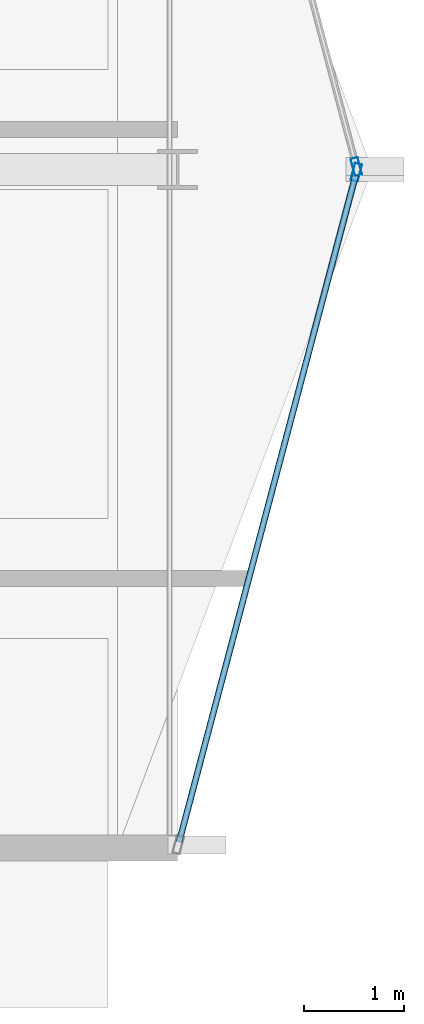
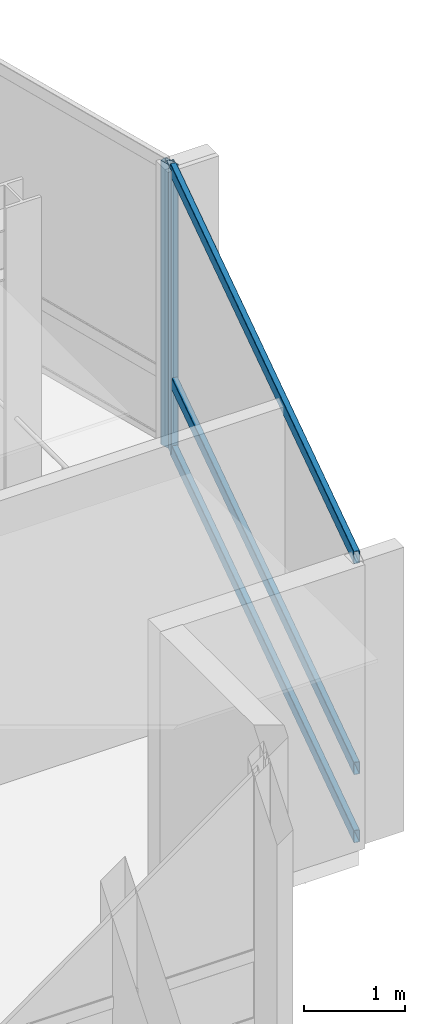
# One storey, part 11 of 28: 5 members, 2 elements without a shape of their own.
"""IFC4 building model written with IfcOpenShell, lengths in metres."""

from ifc_helpers import new_model, si_unit, direction, frame, origin, origin_2d, place, context, subcontext, project, spatial, hollow_rectangle, extrude, material, layer, layer_set, material_profile, profile_set, type_object, element, aggregate, save


model = new_model("IFC4")

# Units and contexts
model_context = context("Model", 3, precision=1e-05, world=origin(), true_north=direction((0.0, 1.0)))
body_context = subcontext(model_context, "Body", "Model", "MODEL_VIEW")
ifc_project = project(units=[si_unit("LENGTHUNIT", "METRE"), si_unit("AREAUNIT", "SQUARE_METRE"), si_unit("VOLUMEUNIT", "CUBIC_METRE"), si_unit("PLANEANGLEUNIT", "RADIAN"), si_unit("MASSUNIT", "GRAM", prefix="KILO")], contexts=[model_context])

# Site, building, storey
site_placement = place(None, origin())
site = spatial("IfcSite", under=ifc_project, at=site_placement, CompositionType="ELEMENT")
building_placement = place(site_placement, origin())
building = spatial("IfcBuilding", under=site, at=building_placement, Name="Solvaryn Broadcast Tower", CompositionType="ELEMENT")
storey_placement = place(building_placement, frame((0.0, 0.0, 213.60009765625)))
storey = spatial("IfcBuildingStorey", under=building, at=storey_placement, Name="L53", CompositionType="ELEMENT", Elevation=213.60009765625)

# Curtain wall, member
ifc_material_1 = material(Name="Aluminium and Terracotta Unitised Curtain Wall", Category="masonry")
ifc_layer = layer(ifc_material_1, 0.199951171875)
ifc_layer_set = layer_set([ifc_layer], Name="CW-SYS2-LOWMID")
curtain_wall_type = type_object("IfcCurtainWallType", Name="CW-SYS2-LOWMID", PredefinedType="NOTDEFINED", material=ifc_layer_set)
curtain_wall_1_placement = place(storey_placement, origin())
curtain_wall_1 = element("IfcCurtainWall", 1, at=curtain_wall_1_placement, inside=storey, type_object=curtain_wall_type, Name="L53 Curtain Wall ET1", PredefinedType="NOTDEFINED")
ifc_material_2 = material(Name="Anodised Aluminium 6063-T6", Category="aluminium")
ifc_material_profile_1 = material_profile(ifc_material_2, hollow_rectangle(XDim=0.074951171875, YDim=0.179931640625, WallThickness=0.00390625, InnerFilletRadius=0.00390625, OuterFilletRadius=0.008056640625, at=origin_2d()))
ifc_profile_set_1 = profile_set([ifc_material_profile_1], Name="Anodised Aluminium 6063-T6")
member_type_1 = type_object("IfcMemberType", Name="CW-MUL-180", PredefinedType="MULLION", material=ifc_profile_set_1)
member_1_placement = place(storey_placement, frame((55.792236328125, 18.029052734375, 0.0), z_axis=(0.0, 0.0, 1.0), x_axis=(0.966705227863, 0.25589256031, 0.0)))
member_1 = element("IfcMember", 2, at=member_1_placement, type_object=member_type_1, Name="CWS2 mullion 2", PredefinedType="MULLION", context=body_context, shape_type="SweptSolid", body=[
    extrude(hollow_rectangle(XDim=0.074951171875, YDim=0.179931640625, WallThickness=0.00390625, InnerFilletRadius=0.00390625, OuterFilletRadius=0.008056640625, at=origin_2d()), origin(), (0.0, 0.0, 1.0), 3.419921875),
])
aggregate(curtain_wall_1, [member_1])

# Curtain wall, members
curtain_wall_2_placement = place(storey_placement, origin())
curtain_wall_2 = element("IfcCurtainWall", 3, at=curtain_wall_2_placement, inside=storey, type_object=curtain_wall_type, Name="L53 Curtain Wall ET2", PredefinedType="NOTDEFINED")
member_2_placement = place(storey_placement, frame((55.792236328125, 17.970947265625, 0.0), z_axis=(0.0, 0.0, 1.0), x_axis=(0.966705227863, -0.25589256031, 0.0)))
member_2 = element("IfcMember", 4, at=member_2_placement, type_object=member_type_1, Name="CWS2 mullion 1", PredefinedType="MULLION", context=body_context, shape_type="SweptSolid", body=[
    extrude(hollow_rectangle(XDim=0.074951171875, YDim=0.179931640625, WallThickness=0.00390625, InnerFilletRadius=0.00390625, OuterFilletRadius=0.008056640625, at=origin_2d()), origin(), (0.0, 0.0, 1.0), 3.419921875),
])
ifc_material_3 = material(Name="Anodised Aluminium 6063-T6", Category="aluminium")
ifc_material_profile_2 = material_profile(ifc_material_3, hollow_rectangle(XDim=0.06494140625, YDim=0.14990234375, WallThickness=0.00390625, InnerFilletRadius=0.00390625, OuterFilletRadius=0.008056640625, at=origin_2d()))
ifc_profile_set_2 = profile_set([ifc_material_profile_2], Name="Anodised Aluminium 6063-T6")
member_type_2 = type_object("IfcMemberType", Name="CW-TRN-150", PredefinedType="USERDEFINED", material=ifc_profile_set_2)
member_3_placement = place(storey_placement, frame((55.78466796875, 17.94189453125, 0.02978515625), z_axis=(-0.255897413051, -0.966703943301, 0.0), x_axis=(0.966703943301, -0.255897413051, 0.0)))
member_3 = element("IfcMember", 5, at=member_3_placement, type_object=member_type_2, Name="CWS2 transom 1.1", ObjectType="TRANSOM", PredefinedType="USERDEFINED", context=body_context, shape_type="SweptSolid", body=[
    extrude(hollow_rectangle(XDim=0.06494140625, YDim=0.14990234375, WallThickness=0.00390625, InnerFilletRadius=0.00390625, OuterFilletRadius=0.008056640625, at=origin_2d()), origin(), (0.0, 0.0, 1.0), 6.9140625),
])
member_4_placement = place(storey_placement, frame((55.78466796875, 17.94189453125, 0.849853515625), z_axis=(-0.255897413051, -0.966703943301, 0.0), x_axis=(0.966703943301, -0.255897413051, 0.0)))
member_4 = element("IfcMember", 6, at=member_4_placement, type_object=member_type_2, Name="CWS2 transom 1.2", ObjectType="TRANSOM", PredefinedType="USERDEFINED", context=body_context, shape_type="SweptSolid", body=[
    extrude(hollow_rectangle(XDim=0.06494140625, YDim=0.14990234375, WallThickness=0.00390625, InnerFilletRadius=0.00390625, OuterFilletRadius=0.008056640625, at=origin_2d()), origin(), (0.0, 0.0, 1.0), 6.9140625),
])
member_5_placement = place(storey_placement, frame((55.78466796875, 17.94189453125, 3.389892578125), z_axis=(-0.255897413051, -0.966703943301, 0.0), x_axis=(0.966703943301, -0.255897413051, 0.0)))
member_5 = element("IfcMember", 7, at=member_5_placement, type_object=member_type_2, Name="CWS2 transom 1.3", ObjectType="TRANSOM", PredefinedType="USERDEFINED", context=body_context, shape_type="SweptSolid", body=[
    extrude(hollow_rectangle(XDim=0.06494140625, YDim=0.14990234375, WallThickness=0.00390625, InnerFilletRadius=0.00390625, OuterFilletRadius=0.008056640625, at=origin_2d()), origin(), (0.0, 0.0, 1.0), 6.9140625),
])
aggregate(curtain_wall_2, [member_2, member_3, member_4, member_5])

save(model, "model.ifc")
